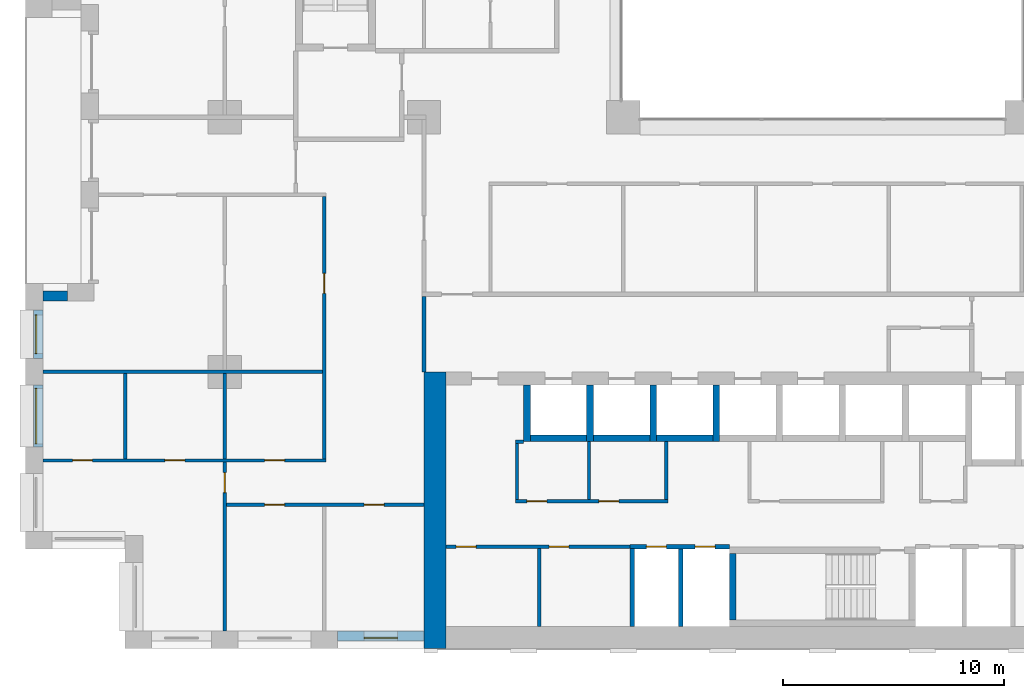
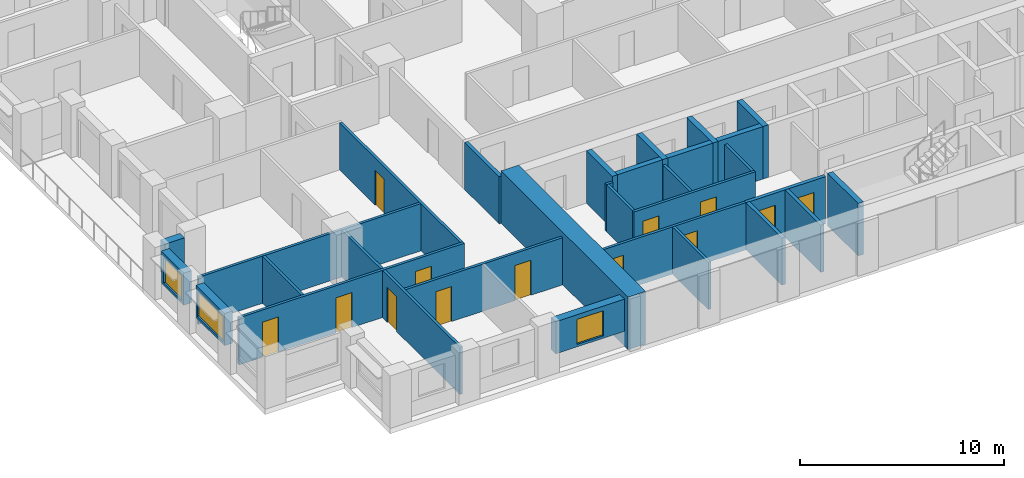
# One storey, part 9 of 19: 31 walls, 13 doors, 3 windows, 16 openings.
"""IFC4 building model written with IfcOpenShell, lengths in metres."""

from ifc_helpers import new_model, si_unit, direction, frame, frame_2d, origin, place, context, subcontext, project, spatial, rectangle, extrude, material, layer, layer_set, type_object, element, fill, save


model = new_model("IFC4")

# Units and contexts
model_context = context("Model", 3, precision=1e-05, world=origin(), true_north=direction((0.0, 1.0)))
body_context = subcontext(model_context, "Body", "Model", "MODEL_VIEW")
ifc_project = project(units=[si_unit("LENGTHUNIT", "METRE"), si_unit("AREAUNIT", "SQUARE_METRE"), si_unit("VOLUMEUNIT", "CUBIC_METRE"), si_unit("PLANEANGLEUNIT", "RADIAN"), si_unit("MASSUNIT", "GRAM", prefix="KILO")], contexts=[model_context])

# Site, building, storey
site_placement = place(None, origin())
site = spatial("IfcSite", under=ifc_project, at=site_placement, CompositionType="ELEMENT")
building_placement = place(site_placement, origin())
building = spatial("IfcBuilding", under=site, at=building_placement, Name="Brigalow Station Residences", CompositionType="ELEMENT")
storey_placement = place(building_placement, frame((0.0, 0.0, 25.800048828125)))
storey = spatial("IfcBuildingStorey", under=building, at=storey_placement, Name="L06", CompositionType="ELEMENT", Elevation=25.800048828125)

# Wall, opening, window
ifc_material_1 = material(Name="Clay brick masonry", Category="masonry")
ifc_layer_1 = layer(ifc_material_1, 0.449951171875)
ifc_layer_set_1 = layer_set([ifc_layer_1], Name="BRICK INFILL WALL 450")
wall_type_1 = type_object("IfcWallType", Name="BRICK INFILL WALL 450", PredefinedType="SOLIDWALL", material=ifc_layer_set_1)
wall_1_placement = place(storey_placement, frame((14.10009765625, 0.574951171875, 0.89990234375), z_axis=(0.0, 0.0, 1.0), x_axis=(1.0, 0.0, 0.0)))
wall_1 = element("IfcWall", 1, at=wall_1_placement, inside=storey, type_object=wall_type_1, Name="L06/ewall/W-L06-3", PredefinedType="SOLIDWALL", context=body_context, shape_type="SweptSolid", body=[
    extrude(rectangle(XDim=3.89990234375, YDim=0.449951171875, at=frame_2d((1.949951171875, 0.0))), origin(), (0.0, 0.0, 1.0), 1.929931640625),
])
opening_1_placement = place(wall_1_placement, frame((1.199951171875, 0.0, 0.14990234375)))
opening_1 = element("IfcOpeningElement", 2, at=opening_1_placement, cuts=wall_1, Name="Opening WT-1", PredefinedType="OPENING", context=body_context, shape_type="SweptSolid", body=[
    extrude(rectangle(XDim=1.5, YDim=1.5, at=frame_2d((0.75, 0.75))), frame((0.0, 0.23486328125, 0.0), z_axis=(0.0, -1.0, 0.0), x_axis=(1.0, 0.0, 0.0)), (0.0, 0.0, 1.0), 0.469970703125),
])
ifc_material_2 = material(Name="Anodised aluminium frame with double glazing", Category="aluminium")
window_type_1 = type_object("IfcWindowType", Name="WINDOW 1500x1500", PartitioningType="SINGLE_PANEL", PredefinedType="WINDOW", material=ifc_material_2)
window_1_placement = place(opening_1_placement, origin())
window_1 = element("IfcWindow", 3, at=window_1_placement, inside=storey, type_object=window_type_1, Name="L06/window/W-L06-3", OverallHeight=1.5, OverallWidth=1.5, PartitioningType="SINGLE_PANEL", PredefinedType="WINDOW", context=body_context, shape_type="SweptSolid", body=[
    extrude(rectangle(XDim=1.5, YDim=1.5, at=frame_2d((0.75, 0.75))), frame((0.0, -0.06494140625, 0.0), z_axis=(0.0, -1.0, 0.0), x_axis=(1.0, 0.0, 0.0)), (0.0, 0.0, 1.0), 0.06005859375),
])
fill(opening_1, window_1)

# Wall
wall_2_placement = place(storey_placement, frame((1.89990234375, 15.925048828125, 0.89990234375), z_axis=(0.0, 0.0, 1.0), x_axis=(-1.0, 0.0, 0.0)))
element("IfcWall", 4, at=wall_2_placement, inside=storey, type_object=wall_type_1, Name="L06/ewall/W-L06-50", PredefinedType="SOLIDWALL", context=body_context, shape_type="SweptSolid", body=[
    extrude(rectangle(XDim=1.099853515625, YDim=0.449951171875, at=frame_2d((0.5498046875, 0.0))), origin(), (0.0, 0.0, 1.0), 1.929931640625),
])

# Wall, opening, window
wall_3_placement = place(storey_placement, frame((0.574951171875, 15.300048828125, 0.89990234375), z_axis=(0.0, 0.0, 1.0), x_axis=(0.0, -1.0, 0.0)))
wall_3 = element("IfcWall", 5, at=wall_3_placement, inside=storey, type_object=wall_type_1, Name="L06/ewall/W-L06-51", PredefinedType="SOLIDWALL", context=body_context, shape_type="SweptSolid", body=[
    extrude(rectangle(XDim=2.199951171875, YDim=0.449951171875, at=frame_2d((1.10009765625, 0.0))), origin(), (0.0, 0.0, 1.0), 1.929931640625),
])
opening_2_placement = place(wall_3_placement, frame((0.22509765625, 0.0, 0.14990234375)))
opening_2 = element("IfcOpeningElement", 6, at=opening_2_placement, cuts=wall_3, Name="Opening WT-4", PredefinedType="OPENING", context=body_context, shape_type="SweptSolid", body=[
    extrude(rectangle(XDim=1.75, YDim=1.5, at=frame_2d((0.875, 0.75))), frame((0.0, 0.23486328125, 0.0), z_axis=(0.0, -1.0, 0.0), x_axis=(1.0, 0.0, 0.0)), (0.0, 0.0, 1.0), 0.469970703125),
])
ifc_material_3 = material(Name="Anodised aluminium frame with double glazing", Category="aluminium")
window_type_2 = type_object("IfcWindowType", Name="WINDOW 1750x1500", PartitioningType="SINGLE_PANEL", PredefinedType="WINDOW", material=ifc_material_3)
window_2_placement = place(opening_2_placement, origin())
window_2 = element("IfcWindow", 7, at=window_2_placement, inside=storey, type_object=window_type_2, Name="L06/window/W-L06-51", OverallHeight=1.5, OverallWidth=1.75, PartitioningType="SINGLE_PANEL", PredefinedType="WINDOW", context=body_context, shape_type="SweptSolid", body=[
    extrude(rectangle(XDim=1.75, YDim=1.5, at=frame_2d((0.875, 0.75))), frame((0.0, -0.06494140625, 0.0), z_axis=(0.0, -1.0, 0.0), x_axis=(1.0, 0.0, 0.0)), (0.0, 0.0, 1.0), 0.06005859375),
])
fill(opening_2, window_2)

wall_4_placement = place(storey_placement, frame((0.574951171875, 11.89990234375, 0.89990234375), z_axis=(0.0, 0.0, 1.0), x_axis=(0.0, -1.0, 0.0)))
wall_4 = element("IfcWall", 8, at=wall_4_placement, inside=storey, type_object=wall_type_1, Name="L06/ewall/W-L06-52", PredefinedType="SOLIDWALL", context=body_context, shape_type="SweptSolid", body=[
    extrude(rectangle(XDim=2.7998046875, YDim=0.449951171875, at=frame_2d((1.39990234375, 0.0))), origin(), (0.0, 0.0, 1.0), 1.929931640625),
])
opening_3_placement = place(wall_4_placement, frame((0.14990234375, 0.0, 0.14990234375)))
opening_3 = element("IfcOpeningElement", 9, at=opening_3_placement, cuts=wall_4, Name="Opening WT-5", PredefinedType="OPENING", context=body_context, shape_type="SweptSolid", body=[
    extrude(rectangle(XDim=2.5, YDim=1.5, at=frame_2d((1.25, 0.75))), frame((0.0, 0.23486328125, 0.0), z_axis=(0.0, -1.0, 0.0), x_axis=(1.0, 0.0, 0.0)), (0.0, 0.0, 1.0), 0.469970703125),
])
ifc_material_4 = material(Name="Anodised aluminium frame with double glazing", Category="aluminium")
window_type_3 = type_object("IfcWindowType", Name="WINDOW 2500x1500", PartitioningType="SINGLE_PANEL", PredefinedType="WINDOW", material=ifc_material_4)
window_3_placement = place(opening_3_placement, origin())
window_3 = element("IfcWindow", 10, at=window_3_placement, inside=storey, type_object=window_type_3, Name="L06/window/W-L06-52", OverallHeight=1.5, OverallWidth=2.5, PartitioningType="SINGLE_PANEL", PredefinedType="WINDOW", context=body_context, shape_type="SweptSolid", body=[
    extrude(rectangle(XDim=2.5, YDim=1.5, at=frame_2d((1.25, 0.75))), frame((0.0, -0.06494140625, 0.0), z_axis=(0.0, -1.0, 0.0), x_axis=(1.0, 0.0, 0.0)), (0.0, 0.0, 1.0), 0.06005859375),
])
fill(opening_3, window_3)

# Walls
ifc_material_5 = material(Name="Concrete C80", Category="concrete")
ifc_layer_2 = layer(ifc_material_5, 1.0)
ifc_layer_set_2 = layer_set([ifc_layer_2], Name="CORE SHEAR WALL 1000 C80")
wall_type_2 = type_object("IfcWallType", Name="CORE SHEAR WALL 1000 C80", PredefinedType="SHEAR", material=ifc_layer_set_2)
wall_5_placement = place(storey_placement, frame((18.5, 0.0, 0.0), z_axis=(0.0, 0.0, 1.0), x_axis=(0.0, 1.0, 0.0)))
element("IfcWall", 11, at=wall_5_placement, inside=storey, type_object=wall_type_2, Name="CORE WALL OUT-W L06", PredefinedType="SHEAR", context=body_context, shape_type="SweptSolid", body=[
    extrude(rectangle(XDim=12.5, YDim=1.0, at=frame_2d((6.25, 0.0))), origin(), (0.0, 0.0, 1.0), 3.14990234375),
])
ifc_material_6 = material(Name="Concrete C80", Category="concrete")
ifc_layer_3 = layer(ifc_material_6, 0.300048828125)
ifc_layer_set_3 = layer_set([ifc_layer_3], Name="CORE SHEAR WALL 300 C80")
wall_type_3 = type_object("IfcWallType", Name="CORE SHEAR WALL 300 C80", PredefinedType="SHEAR", material=ifc_layer_set_3)
wall_6_placement = place(storey_placement, frame((22.800048828125, 9.5, 0.0), z_axis=(0.0, 0.0, 1.0), x_axis=(1.0, 0.0, 0.0)))
element("IfcWall", 12, at=wall_6_placement, inside=storey, type_object=wall_type_3, Name="CORE WALL SH-P1-S L06", PredefinedType="SHEAR", context=body_context, shape_type="SweptSolid", body=[
    extrude(rectangle(XDim=2.550048828125, YDim=0.300048828125, at=frame_2d((1.27490234375, 0.0))), origin(), (0.0, 0.0, 1.0), 3.14990234375),
])
wall_7_placement = place(storey_placement, frame((22.64990234375, 9.35009765625, 0.0), z_axis=(0.0, 0.0, 1.0), x_axis=(0.0, 1.0, 0.0)))
element("IfcWall", 13, at=wall_7_placement, inside=storey, type_object=wall_type_3, Name="CORE WALL SH-P1-W L06", PredefinedType="SHEAR", context=body_context, shape_type="SweptSolid", body=[
    extrude(rectangle(XDim=2.5498046875, YDim=0.300048828125, at=frame_2d((1.27490234375, 0.0))), origin(), (0.0, 0.0, 1.0), 3.14990234375),
])
wall_8_placement = place(storey_placement, frame((25.64990234375, 9.5, 0.0), z_axis=(0.0, 0.0, 1.0), x_axis=(1.0, 0.0, 0.0)))
element("IfcWall", 14, at=wall_8_placement, inside=storey, type_object=wall_type_3, Name="CORE WALL SH-P2-S L06", PredefinedType="SHEAR", context=body_context, shape_type="SweptSolid", body=[
    extrude(rectangle(XDim=2.550048828125, YDim=0.300048828125, at=frame_2d((1.27490234375, 0.0))), origin(), (0.0, 0.0, 1.0), 3.14990234375),
])
wall_9_placement = place(storey_placement, frame((25.5, 9.35009765625, 0.0), z_axis=(0.0, 0.0, 1.0), x_axis=(0.0, 1.0, 0.0)))
element("IfcWall", 15, at=wall_9_placement, inside=storey, type_object=wall_type_3, Name="CORE WALL SH-P2-W L06", PredefinedType="SHEAR", context=body_context, shape_type="SweptSolid", body=[
    extrude(rectangle(XDim=2.5498046875, YDim=0.300048828125, at=frame_2d((1.27490234375, 0.0))), origin(), (0.0, 0.0, 1.0), 3.14990234375),
])
wall_10_placement = place(storey_placement, frame((28.5, 9.5, 0.0), z_axis=(0.0, 0.0, 1.0), x_axis=(1.0, 0.0, 0.0)))
element("IfcWall", 16, at=wall_10_placement, inside=storey, type_object=wall_type_3, Name="CORE WALL SH-P3-S L06", PredefinedType="SHEAR", context=body_context, shape_type="SweptSolid", body=[
    extrude(rectangle(XDim=2.550048828125, YDim=0.300048828125, at=frame_2d((1.27490234375, 0.0))), origin(), (0.0, 0.0, 1.0), 3.14990234375),
])
for number, where, z_axis, x_axis, name in (
    (17, (28.35009765625, 9.35009765625, 0.0), (0.0, 0.0, 1.0), (0.0, 1.0, 0.0), "CORE WALL SH-P3-W L06"),
    (18, (31.199951171875, 9.35009765625, 0.0), (0.0, 0.0, 1.0), (0.0, 1.0, 0.0), "CORE WALL SH-P4-W L06"),
):
    element("IfcWall", number, at=place(storey_placement, frame(where, z_axis=z_axis, x_axis=x_axis)), inside=storey, type_object=wall_type_3, Name=name, PredefinedType="SHEAR", context=body_context, shape_type="SweptSolid", body=[
        extrude(rectangle(XDim=2.5498046875, YDim=0.300048828125, at=frame_2d((1.27490234375, 0.0))), origin(), (0.0, 0.0, 1.0), 3.14990234375),
    ])
wall_11_placement = place(storey_placement, frame((31.949951171875, 1.300048828125, 0.0), z_axis=(0.0, 0.0, 1.0), x_axis=(0.0, 1.0, 0.0)))
element("IfcWall", 19, at=wall_11_placement, inside=storey, type_object=wall_type_3, Name="CORE WALL ST-S2-W L06", PredefinedType="SHEAR", context=body_context, shape_type="SweptSolid", body=[
    extrude(rectangle(XDim=3.0, YDim=0.300048828125, at=frame_2d((1.5, 0.0))), origin(), (0.0, 0.0, 1.0), 3.14990234375),
])

# Wall, openings, doors
ifc_material_7 = material(Name="Concrete blockwork", Category="masonry")
ifc_layer_4 = layer(ifc_material_7, 0.199951171875)
ifc_layer_set_4 = layer_set([ifc_layer_4], Name="FIRE RATED CORE PARTITION 200")
wall_type_4 = type_object("IfcWallType", Name="FIRE RATED CORE PARTITION 200", PredefinedType="PARTITIONING", material=ifc_layer_set_4)
wall_12_placement = place(storey_placement, frame((27.300048828125, 4.60009765625, 0.0), z_axis=(0.0, 0.0, 1.0), x_axis=(1.0, 0.0, 0.0)))
wall_12 = element("IfcWall", 20, at=wall_12_placement, inside=storey, type_object=wall_type_4, Name="PW-5017", PredefinedType="PARTITIONING", context=body_context, shape_type="SweptSolid", body=[
    extrude(rectangle(XDim=4.5, YDim=0.199951171875, at=frame_2d((2.25, 0.0))), origin(), (0.0, 0.0, 1.0), 2.829833984375),
])
opening_4_placement = place(wall_12_placement, frame((0.75, 0.0, 0.0)))
opening_4 = element("IfcOpeningElement", 21, at=opening_4_placement, cuts=wall_12, Name="Opening D-5007", PredefinedType="OPENING", context=body_context, shape_type="SweptSolid", body=[
    extrude(rectangle(XDim=0.89990234375, YDim=2.10009765625, at=frame_2d((0.449951171875, 1.050048828125))), frame((0.0, 0.10986328125, 0.0), z_axis=(0.0, -1.0, 0.0), x_axis=(1.0, 0.0, 0.0)), (0.0, 0.0, 1.0), 0.219970703125),
])
opening_5_placement = place(wall_12_placement, frame((2.949951171875, 0.0, 0.0)))
opening_5 = element("IfcOpeningElement", 22, at=opening_5_placement, cuts=wall_12, Name="Opening D-5008", PredefinedType="OPENING", context=body_context, shape_type="SweptSolid", body=[
    extrude(rectangle(XDim=0.89990234375, YDim=2.10009765625, at=frame_2d((0.449951171875, 1.050048828125))), frame((0.0, 0.10986328125, 0.0), z_axis=(0.0, -1.0, 0.0), x_axis=(1.0, 0.0, 0.0)), (0.0, 0.0, 1.0), 0.219970703125),
])
ifc_material_8 = material(Name="Steel fire door leaf in steel frame", Category="steel")
door_type_1 = type_object("IfcDoorType", Name="RISER ACCESS DOOR 900 x 2100 FD120", OperationType="SINGLE_SWING_LEFT", PredefinedType="DOOR", material=ifc_material_8)
door_1_placement = place(opening_4_placement, frame((0.89990234375, 0.0, 0.0), z_axis=(0.0, 0.0, 1.0), x_axis=(-1.0, 0.0, 0.0)))
door_1 = element("IfcDoor", 23, at=door_1_placement, inside=storey, type_object=door_type_1, Name="D-5007", OperationType="SINGLE_SWING_RIGHT", OverallHeight=2.10009765625, OverallWidth=0.89990234375, PredefinedType="DOOR", context=body_context, shape_type="SweptSolid", body=[
    extrude(rectangle(XDim=0.89990234375, YDim=2.10009765625, at=frame_2d((0.449951171875, 1.050048828125))), frame((0.0, 0.02490234375, 0.0), z_axis=(0.0, -1.0, 0.0), x_axis=(1.0, 0.0, 0.0)), (0.0, 0.0, 1.0), 0.050048828125),
])
fill(opening_4, door_1)
door_2_placement = place(opening_5_placement, frame((0.89990234375, 0.0, 0.0), z_axis=(0.0, 0.0, 1.0), x_axis=(-1.0, 0.0, 0.0)))
door_2 = element("IfcDoor", 24, at=door_2_placement, inside=storey, type_object=door_type_1, Name="D-5008", OperationType="SINGLE_SWING_RIGHT", OverallHeight=2.10009765625, OverallWidth=0.89990234375, PredefinedType="DOOR", context=body_context, shape_type="SweptSolid", body=[
    extrude(rectangle(XDim=0.89990234375, YDim=2.10009765625, at=frame_2d((0.449951171875, 1.050048828125))), frame((0.0, 0.02490234375, 0.0), z_axis=(0.0, -1.0, 0.0), x_axis=(1.0, 0.0, 0.0)), (0.0, 0.0, 1.0), 0.050048828125),
])
fill(opening_5, door_2)

# Walls
wall_13_placement = place(storey_placement, frame((27.39990234375, 1.0, 0.0), z_axis=(0.0, 0.0, 1.0), x_axis=(0.0, 1.0, 0.0)))
element("IfcWall", 25, at=wall_13_placement, inside=storey, type_object=wall_type_4, Name="PW-5027", PredefinedType="PARTITIONING", context=body_context, shape_type="SweptSolid", body=[
    extrude(rectangle(XDim=3.52490234375, YDim=0.199951171875, at=frame_2d((1.762451171875, 0.0))), origin(), (0.0, 0.0, 1.0), 2.829833984375),
])
wall_14_placement = place(storey_placement, frame((29.60009765625, 1.0, 0.0), z_axis=(0.0, 0.0, 1.0), x_axis=(0.0, 1.0, 0.0)))
element("IfcWall", 26, at=wall_14_placement, inside=storey, type_object=wall_type_4, Name="PW-5006", PredefinedType="PARTITIONING", context=body_context, shape_type="SweptSolid", body=[
    extrude(rectangle(XDim=3.5, YDim=0.199951171875, at=frame_2d((1.75, 0.0))), origin(), (0.0, 0.0, 1.0), 2.829833984375),
])
wall_15_placement = place(storey_placement, frame((18.0, 12.5, 0.0), z_axis=(0.0, 0.0, 1.0), x_axis=(0.0, 1.0, 0.0)))
element("IfcWall", 27, at=wall_15_placement, inside=storey, type_object=wall_type_4, Name="PW-5013", PredefinedType="PARTITIONING", context=body_context, shape_type="SweptSolid", body=[
    extrude(rectangle(XDim=3.39990234375, YDim=0.199951171875, at=frame_2d((1.699951171875, 0.0))), origin(), (0.0, 0.0, 1.0), 2.829833984375),
])

# Wall, openings, doors
ifc_material_9 = material(Name="Plasterboard on steel stud partition", Category="steel")
ifc_layer_5 = layer(ifc_material_9, 0.14990234375)
ifc_layer_set_5 = layer_set([ifc_layer_5], Name="FLAT PARTITION 150")
wall_type_5 = type_object("IfcWallType", Name="FLAT PARTITION 150", PredefinedType="PARTITIONING", material=ifc_layer_set_5)
wall_16_placement = place(storey_placement, frame((0.800048828125, 8.5, 0.0), z_axis=(0.0, 0.0, 1.0), x_axis=(1.0, 0.0, 0.0)))
wall_16 = element("IfcWall", 28, at=wall_16_placement, inside=storey, type_object=wall_type_5, Name="PW-1A09", PredefinedType="PARTITIONING", context=body_context, shape_type="SweptSolid", body=[
    extrude(rectangle(XDim=12.77490234375, YDim=0.14990234375, at=frame_2d((6.387451171875, 0.0))), origin(), (0.0, 0.0, 1.0), 2.829833984375),
])
opening_6_placement = place(wall_16_placement, frame((10.0, 0.0, 0.0)))
opening_6 = element("IfcOpeningElement", 29, at=opening_6_placement, cuts=wall_16, Name="Opening D-1A05", PredefinedType="OPENING", context=body_context, shape_type="SweptSolid", body=[
    extrude(rectangle(XDim=0.89990234375, YDim=2.10009765625, at=frame_2d((0.449951171875, 1.050048828125))), frame((0.0, 0.0849609375, 0.0), z_axis=(0.0, -1.0, 0.0), x_axis=(1.0, 0.0, 0.0)), (0.0, 0.0, 1.0), 0.169921875),
])
opening_7_placement = place(wall_16_placement, frame((1.324951171875, 0.0, 0.0)))
opening_7 = element("IfcOpeningElement", 30, at=opening_7_placement, cuts=wall_16, Name="Opening D-1A07", PredefinedType="OPENING", context=body_context, shape_type="SweptSolid", body=[
    extrude(rectangle(XDim=0.89990234375, YDim=2.10009765625, at=frame_2d((0.449951171875, 1.050048828125))), frame((0.0, 0.0849609375, 0.0), z_axis=(0.0, -1.0, 0.0), x_axis=(1.0, 0.0, 0.0)), (0.0, 0.0, 1.0), 0.169921875),
])
opening_8_placement = place(wall_16_placement, frame((5.5, 0.0, 0.0)))
opening_8 = element("IfcOpeningElement", 31, at=opening_8_placement, cuts=wall_16, Name="Opening D-1A08", PredefinedType="OPENING", context=body_context, shape_type="SweptSolid", body=[
    extrude(rectangle(XDim=0.89990234375, YDim=2.10009765625, at=frame_2d((0.449951171875, 1.050048828125))), frame((0.0, 0.0849609375, 0.0), z_axis=(0.0, -1.0, 0.0), x_axis=(1.0, 0.0, 0.0)), (0.0, 0.0, 1.0), 0.169921875),
])
ifc_material_10 = material(Name="Solid-core timber door leaf", Category="wood")
door_type_2 = type_object("IfcDoorType", Name="INTERNAL DOOR 900 x 2100", OperationType="SINGLE_SWING_LEFT", PredefinedType="DOOR", material=ifc_material_10)
door_3_placement = place(opening_6_placement, origin())
door_3 = element("IfcDoor", 32, at=door_3_placement, inside=storey, type_object=door_type_2, Name="D-1A05", OperationType="SINGLE_SWING_LEFT", OverallHeight=2.10009765625, OverallWidth=0.89990234375, PredefinedType="DOOR", context=body_context, shape_type="SweptSolid", body=[
    extrude(rectangle(XDim=0.89990234375, YDim=2.10009765625, at=frame_2d((0.449951171875, 1.050048828125))), frame((0.0, 0.02490234375, 0.0), z_axis=(0.0, -1.0, 0.0), x_axis=(1.0, 0.0, 0.0)), (0.0, 0.0, 1.0), 0.050048828125),
])
fill(opening_6, door_3)
door_4_placement = place(opening_7_placement, origin())
door_4 = element("IfcDoor", 33, at=door_4_placement, inside=storey, type_object=door_type_2, Name="D-1A07", OperationType="SINGLE_SWING_LEFT", OverallHeight=2.10009765625, OverallWidth=0.89990234375, PredefinedType="DOOR", context=body_context, shape_type="SweptSolid", body=[
    extrude(rectangle(XDim=0.89990234375, YDim=2.10009765625, at=frame_2d((0.449951171875, 1.050048828125))), frame((0.0, 0.02490234375, 0.0), z_axis=(0.0, -1.0, 0.0), x_axis=(1.0, 0.0, 0.0)), (0.0, 0.0, 1.0), 0.050048828125),
])
fill(opening_7, door_4)
door_5_placement = place(opening_8_placement, origin())
door_5 = element("IfcDoor", 34, at=door_5_placement, inside=storey, type_object=door_type_2, Name="D-1A08", OperationType="SINGLE_SWING_RIGHT", OverallHeight=2.10009765625, OverallWidth=0.89990234375, PredefinedType="DOOR", context=body_context, shape_type="SweptSolid", body=[
    extrude(rectangle(XDim=0.89990234375, YDim=2.10009765625, at=frame_2d((0.449951171875, 1.050048828125))), frame((0.0, 0.02490234375, 0.0), z_axis=(0.0, -1.0, 0.0), x_axis=(1.0, 0.0, 0.0)), (0.0, 0.0, 1.0), 0.050048828125),
])
fill(opening_8, door_5)

# Wall
wall_17_placement = place(storey_placement, frame((0.800048828125, 12.5, 0.0), z_axis=(0.0, 0.0, 1.0), x_axis=(1.0, 0.0, 0.0)))
element("IfcWall", 35, at=wall_17_placement, inside=storey, type_object=wall_type_5, Name="PW-1A11", PredefinedType="PARTITIONING", context=body_context, shape_type="SweptSolid", body=[
    extrude(rectangle(XDim=12.625, YDim=0.14990234375, at=frame_2d((6.3125, 0.0))), origin(), (0.0, 0.0, 1.0), 2.829833984375),
])

# Wall, openings, doors
wall_18_placement = place(storey_placement, frame((9.074951171875, 6.5, 0.0), z_axis=(0.0, 0.0, 1.0), x_axis=(1.0, 0.0, 0.0)))
wall_18 = element("IfcWall", 36, at=wall_18_placement, inside=storey, type_object=wall_type_5, Name="PW-1A13", PredefinedType="PARTITIONING", context=body_context, shape_type="SweptSolid", body=[
    extrude(rectangle(XDim=8.925048828125, YDim=0.14990234375, at=frame_2d((4.46240234375, 0.0))), origin(), (0.0, 0.0, 1.0), 2.829833984375),
])
opening_9_placement = place(wall_18_placement, frame((1.72509765625, 0.0, 0.0)))
opening_9 = element("IfcOpeningElement", 37, at=opening_9_placement, cuts=wall_18, Name="Opening D-1A03", PredefinedType="OPENING", context=body_context, shape_type="SweptSolid", body=[
    extrude(rectangle(XDim=0.89990234375, YDim=2.10009765625, at=frame_2d((0.449951171875, 1.050048828125))), frame((0.0, 0.0849609375, 0.0), z_axis=(0.0, -1.0, 0.0), x_axis=(1.0, 0.0, 0.0)), (0.0, 0.0, 1.0), 0.169921875),
])
opening_10_placement = place(wall_18_placement, frame((6.22509765625, 0.0, 0.0)))
opening_10 = element("IfcOpeningElement", 38, at=opening_10_placement, cuts=wall_18, Name="Opening D-1A04", PredefinedType="OPENING", context=body_context, shape_type="SweptSolid", body=[
    extrude(rectangle(XDim=0.89990234375, YDim=2.10009765625, at=frame_2d((0.449951171875, 1.050048828125))), frame((0.0, 0.0849609375, 0.0), z_axis=(0.0, -1.0, 0.0), x_axis=(1.0, 0.0, 0.0)), (0.0, 0.0, 1.0), 0.169921875),
])
door_6_placement = place(opening_9_placement, frame((0.89990234375, 0.0, 0.0), z_axis=(0.0, 0.0, 1.0), x_axis=(-1.0, 0.0, 0.0)))
door_6 = element("IfcDoor", 39, at=door_6_placement, inside=storey, type_object=door_type_2, Name="D-1A03", OperationType="SINGLE_SWING_LEFT", OverallHeight=2.10009765625, OverallWidth=0.89990234375, PredefinedType="DOOR", context=body_context, shape_type="SweptSolid", body=[
    extrude(rectangle(XDim=0.89990234375, YDim=2.10009765625, at=frame_2d((0.449951171875, 1.050048828125))), frame((0.0, 0.02490234375, 0.0), z_axis=(0.0, -1.0, 0.0), x_axis=(1.0, 0.0, 0.0)), (0.0, 0.0, 1.0), 0.050048828125),
])
fill(opening_9, door_6)
door_7_placement = place(opening_10_placement, frame((0.89990234375, 0.0, 0.0), z_axis=(0.0, 0.0, 1.0), x_axis=(-1.0, 0.0, 0.0)))
door_7 = element("IfcDoor", 40, at=door_7_placement, inside=storey, type_object=door_type_2, Name="D-1A04", OperationType="SINGLE_SWING_RIGHT", OverallHeight=2.10009765625, OverallWidth=0.89990234375, PredefinedType="DOOR", context=body_context, shape_type="SweptSolid", body=[
    extrude(rectangle(XDim=0.89990234375, YDim=2.10009765625, at=frame_2d((0.449951171875, 1.050048828125))), frame((0.0, 0.02490234375, 0.0), z_axis=(0.0, -1.0, 0.0), x_axis=(1.0, 0.0, 0.0)), (0.0, 0.0, 1.0), 0.050048828125),
])
fill(opening_10, door_7)

# Wall, opening, door
wall_19_placement = place(storey_placement, frame((9.0, 0.800048828125, 0.0), z_axis=(0.0, 0.0, 1.0), x_axis=(0.0, 1.0, 0.0)))
wall_19 = element("IfcWall", 41, at=wall_19_placement, inside=storey, type_object=wall_type_5, Name="PW-1A46", PredefinedType="PARTITIONING", context=body_context, shape_type="SweptSolid", body=[
    extrude(rectangle(XDim=7.625, YDim=0.14990234375, at=frame_2d((3.8125, 0.0))), origin(), (0.0, 0.0, 1.0), 2.829833984375),
])
opening_11_placement = place(wall_19_placement, frame((6.25, 0.0, 0.0)))
opening_11 = element("IfcOpeningElement", 42, at=opening_11_placement, cuts=wall_19, Name="Opening D-1A06", PredefinedType="OPENING", context=body_context, shape_type="SweptSolid", body=[
    extrude(rectangle(XDim=0.89990234375, YDim=2.10009765625, at=frame_2d((0.449951171875, 1.050048828125))), frame((0.0, 0.0849609375, 0.0), z_axis=(0.0, -1.0, 0.0), x_axis=(1.0, 0.0, 0.0)), (0.0, 0.0, 1.0), 0.169921875),
])
door_8_placement = place(opening_11_placement, origin())
door_8 = element("IfcDoor", 43, at=door_8_placement, inside=storey, type_object=door_type_2, Name="D-1A06", OperationType="SINGLE_SWING_RIGHT", OverallHeight=2.10009765625, OverallWidth=0.89990234375, PredefinedType="DOOR", context=body_context, shape_type="SweptSolid", body=[
    extrude(rectangle(XDim=0.89990234375, YDim=2.10009765625, at=frame_2d((0.449951171875, 1.050048828125))), frame((0.0, 0.02490234375, 0.0), z_axis=(0.0, -1.0, 0.0), x_axis=(1.0, 0.0, 0.0)), (0.0, 0.0, 1.0), 0.050048828125),
])
fill(opening_11, door_8)

# Walls
for number, where, z_axis, x_axis, name in (
    (44, (9.0, 8.574951171875, 0.0), (0.0, 0.0, 1.0), (0.0, 1.0, 0.0), "PW-1A47"),
    (45, (4.5, 8.574951171875, 0.0), (0.0, 0.0, 1.0), (0.0, 1.0, 0.0), "PW-1A51"),
):
    element("IfcWall", number, at=place(storey_placement, frame(where, z_axis=z_axis, x_axis=x_axis)), inside=storey, type_object=wall_type_5, Name=name, PredefinedType="PARTITIONING", context=body_context, shape_type="SweptSolid", body=[
        extrude(rectangle(XDim=3.85009765625, YDim=0.14990234375, at=frame_2d((1.925048828125, 0.0))), origin(), (0.0, 0.0, 1.0), 2.829833984375),
    ])

# Wall, opening, door
wall_20_placement = place(storey_placement, frame((13.5, 8.574951171875, 0.0), z_axis=(0.0, 0.0, 1.0), x_axis=(0.0, 1.0, 0.0)))
wall_20 = element("IfcWall", 46, at=wall_20_placement, inside=storey, type_object=wall_type_5, Name="PW-1A54", PredefinedType="PARTITIONING", context=body_context, shape_type="SweptSolid", body=[
    extrude(rectangle(XDim=11.85009765625, YDim=0.14990234375, at=frame_2d((5.925048828125, 0.0))), origin(), (0.0, 0.0, 1.0), 2.829833984375),
])
opening_12_placement = place(wall_20_placement, frame((7.47509765625, 0.0, 0.0)))
opening_12 = element("IfcOpeningElement", 47, at=opening_12_placement, cuts=wall_20, Name="Opening D-1A09", PredefinedType="OPENING", context=body_context, shape_type="SweptSolid", body=[
    extrude(rectangle(XDim=0.89990234375, YDim=2.10009765625, at=frame_2d((0.449951171875, 1.050048828125))), frame((0.0, 0.0849609375, 0.0), z_axis=(0.0, -1.0, 0.0), x_axis=(1.0, 0.0, 0.0)), (0.0, 0.0, 1.0), 0.169921875),
])
door_9_placement = place(opening_12_placement, origin())
door_9 = element("IfcDoor", 48, at=door_9_placement, inside=storey, type_object=door_type_2, Name="D-1A09", OperationType="SINGLE_SWING_RIGHT", OverallHeight=2.10009765625, OverallWidth=0.89990234375, PredefinedType="DOOR", context=body_context, shape_type="SweptSolid", body=[
    extrude(rectangle(XDim=0.89990234375, YDim=2.10009765625, at=frame_2d((0.449951171875, 1.050048828125))), frame((0.0, 0.02490234375, 0.0), z_axis=(0.0, -1.0, 0.0), x_axis=(1.0, 0.0, 0.0)), (0.0, 0.0, 1.0), 0.050048828125),
])
fill(opening_12, door_9)

# Wall, openings, doors
ifc_material_11 = material(Name="Plasterboard on steel studs", Category="steel")
ifc_layer_6 = layer(ifc_material_11, 0.14990234375)
ifc_layer_set_6 = layer_set([ifc_layer_6], Name="SERVICE ROOM PARTITION 150")
wall_type_6 = type_object("IfcWallType", Name="SERVICE ROOM PARTITION 150", PredefinedType="PARTITIONING", material=ifc_layer_set_6)
wall_21_placement = place(storey_placement, frame((19.0, 4.60009765625, 0.0), z_axis=(0.0, 0.0, 1.0), x_axis=(1.0, 0.0, 0.0)))
wall_21 = element("IfcWall", 49, at=wall_21_placement, inside=storey, type_object=wall_type_6, Name="PW-5019", PredefinedType="PARTITIONING", context=body_context, shape_type="SweptSolid", body=[
    extrude(rectangle(XDim=8.300048828125, YDim=0.14990234375, at=frame_2d((4.14990234375, 0.0))), origin(), (0.0, 0.0, 1.0), 2.829833984375),
])
opening_13_placement = place(wall_21_placement, frame((0.449951171875, 0.0, 0.0)))
opening_13 = element("IfcOpeningElement", 50, at=opening_13_placement, cuts=wall_21, Name="Opening D-5025", PredefinedType="OPENING", context=body_context, shape_type="SweptSolid", body=[
    extrude(rectangle(XDim=0.89990234375, YDim=2.10009765625, at=frame_2d((0.449951171875, 1.050048828125))), frame((0.0, 0.0849609375, 0.0), z_axis=(0.0, -1.0, 0.0), x_axis=(1.0, 0.0, 0.0)), (0.0, 0.0, 1.0), 0.169921875),
])
opening_14_placement = place(wall_21_placement, frame((4.64990234375, 0.0, 0.0)))
opening_14 = element("IfcOpeningElement", 51, at=opening_14_placement, cuts=wall_21, Name="Opening D-5074", PredefinedType="OPENING", context=body_context, shape_type="SweptSolid", body=[
    extrude(rectangle(XDim=0.89990234375, YDim=2.10009765625, at=frame_2d((0.449951171875, 1.050048828125))), frame((0.0, 0.0849609375, 0.0), z_axis=(0.0, -1.0, 0.0), x_axis=(1.0, 0.0, 0.0)), (0.0, 0.0, 1.0), 0.169921875),
])
ifc_material_12 = material(Name="Steel door leaf in steel frame", Category="steel")
door_type_3 = type_object("IfcDoorType", Name="SERVICE ROOM DOOR 900 x 2100 FD60", OperationType="SINGLE_SWING_LEFT", PredefinedType="DOOR", material=ifc_material_12)
door_10_placement = place(opening_13_placement, frame((0.89990234375, 0.0, 0.0), z_axis=(0.0, 0.0, 1.0), x_axis=(-1.0, 0.0, 0.0)))
door_10 = element("IfcDoor", 52, at=door_10_placement, inside=storey, type_object=door_type_3, Name="D-5025", OperationType="SINGLE_SWING_RIGHT", OverallHeight=2.10009765625, OverallWidth=0.89990234375, PredefinedType="DOOR", context=body_context, shape_type="SweptSolid", body=[
    extrude(rectangle(XDim=0.89990234375, YDim=2.10009765625, at=frame_2d((0.449951171875, 1.050048828125))), frame((0.0, 0.02490234375, 0.0), z_axis=(0.0, -1.0, 0.0), x_axis=(1.0, 0.0, 0.0)), (0.0, 0.0, 1.0), 0.050048828125),
])
fill(opening_13, door_10)
door_11_placement = place(opening_14_placement, frame((0.89990234375, 0.0, 0.0), z_axis=(0.0, 0.0, 1.0), x_axis=(-1.0, 0.0, 0.0)))
door_11 = element("IfcDoor", 53, at=door_11_placement, inside=storey, type_object=door_type_3, Name="D-5074", OperationType="SINGLE_SWING_RIGHT", OverallHeight=2.10009765625, OverallWidth=0.89990234375, PredefinedType="DOOR", context=body_context, shape_type="SweptSolid", body=[
    extrude(rectangle(XDim=0.89990234375, YDim=2.10009765625, at=frame_2d((0.449951171875, 1.050048828125))), frame((0.0, 0.02490234375, 0.0), z_axis=(0.0, -1.0, 0.0), x_axis=(1.0, 0.0, 0.0)), (0.0, 0.0, 1.0), 0.050048828125),
])
fill(opening_14, door_11)

wall_22_placement = place(storey_placement, frame((22.125, 6.64990234375, 0.0), z_axis=(0.0, 0.0, 1.0), x_axis=(1.0, 0.0, 0.0)))
wall_22 = element("IfcWall", 54, at=wall_22_placement, inside=storey, type_object=wall_type_6, Name="PW-5126", PredefinedType="PARTITIONING", context=body_context, shape_type="SweptSolid", body=[
    extrude(rectangle(XDim=6.89990234375, YDim=0.14990234375, at=frame_2d((3.449951171875, 0.0))), origin(), (0.0, 0.0, 1.0), 2.829833984375),
])
opening_15_placement = place(wall_22_placement, frame((0.52490234375, 0.0, 0.0)))
opening_15 = element("IfcOpeningElement", 55, at=opening_15_placement, cuts=wall_22, Name="Opening D-5021", PredefinedType="OPENING", context=body_context, shape_type="SweptSolid", body=[
    extrude(rectangle(XDim=0.89990234375, YDim=2.10009765625, at=frame_2d((0.449951171875, 1.050048828125))), frame((0.0, 0.0849609375, 0.0), z_axis=(0.0, -1.0, 0.0), x_axis=(1.0, 0.0, 0.0)), (0.0, 0.0, 1.0), 0.169921875),
])
opening_16_placement = place(wall_22_placement, frame((3.77490234375, 0.0, 0.0)))
opening_16 = element("IfcOpeningElement", 56, at=opening_16_placement, cuts=wall_22, Name="Opening D-5072", PredefinedType="OPENING", context=body_context, shape_type="SweptSolid", body=[
    extrude(rectangle(XDim=0.89990234375, YDim=2.10009765625, at=frame_2d((0.449951171875, 1.050048828125))), frame((0.0, 0.0849609375, 0.0), z_axis=(0.0, -1.0, 0.0), x_axis=(1.0, 0.0, 0.0)), (0.0, 0.0, 1.0), 0.169921875),
])
door_12_placement = place(opening_15_placement, origin())
door_12 = element("IfcDoor", 57, at=door_12_placement, inside=storey, type_object=door_type_3, Name="D-5021", OperationType="SINGLE_SWING_LEFT", OverallHeight=2.10009765625, OverallWidth=0.89990234375, PredefinedType="DOOR", context=body_context, shape_type="SweptSolid", body=[
    extrude(rectangle(XDim=0.89990234375, YDim=2.10009765625, at=frame_2d((0.449951171875, 1.050048828125))), frame((0.0, 0.02490234375, 0.0), z_axis=(0.0, -1.0, 0.0), x_axis=(1.0, 0.0, 0.0)), (0.0, 0.0, 1.0), 0.050048828125),
])
fill(opening_15, door_12)
door_13_placement = place(opening_16_placement, origin())
door_13 = element("IfcDoor", 58, at=door_13_placement, inside=storey, type_object=door_type_3, Name="D-5072", OperationType="SINGLE_SWING_LEFT", OverallHeight=2.10009765625, OverallWidth=0.89990234375, PredefinedType="DOOR", context=body_context, shape_type="SweptSolid", body=[
    extrude(rectangle(XDim=0.89990234375, YDim=2.10009765625, at=frame_2d((0.449951171875, 1.050048828125))), frame((0.0, 0.02490234375, 0.0), z_axis=(0.0, -1.0, 0.0), x_axis=(1.0, 0.0, 0.0)), (0.0, 0.0, 1.0), 0.050048828125),
])
fill(opening_16, door_13)

# Walls
wall_23_placement = place(storey_placement, frame((22.125, 9.35009765625, 0.0), z_axis=(0.0, 0.0, 1.0), x_axis=(1.0, 0.0, 0.0)))
element("IfcWall", 59, at=wall_23_placement, inside=storey, type_object=wall_type_6, Name="PW-5022", PredefinedType="PARTITIONING", context=body_context, shape_type="SweptSolid", body=[
    extrude(rectangle(XDim=0.375, YDim=0.14990234375, at=frame_2d((0.1875, 0.0))), origin(), (0.0, 0.0, 1.0), 2.829833984375),
])
wall_24_placement = place(storey_placement, frame((23.199951171875, 1.0, 0.0), z_axis=(0.0, 0.0, 1.0), x_axis=(0.0, 1.0, 0.0)))
element("IfcWall", 60, at=wall_24_placement, inside=storey, type_object=wall_type_6, Name="PW-5130", PredefinedType="PARTITIONING", context=body_context, shape_type="SweptSolid", body=[
    extrude(rectangle(XDim=3.52490234375, YDim=0.14990234375, at=frame_2d((1.762451171875, 0.0))), origin(), (0.0, 0.0, 1.0), 2.829833984375),
])
wall_25_placement = place(storey_placement, frame((22.199951171875, 6.72509765625, 0.0), z_axis=(0.0, 0.0, 1.0), x_axis=(0.0, 1.0, 0.0)))
element("IfcWall", 61, at=wall_25_placement, inside=storey, type_object=wall_type_6, Name="PW-5030", PredefinedType="PARTITIONING", context=body_context, shape_type="SweptSolid", body=[
    extrude(rectangle(XDim=2.5498046875, YDim=0.14990234375, at=frame_2d((1.27490234375, 0.0))), origin(), (0.0, 0.0, 1.0), 2.829833984375),
])
for number, where, z_axis, x_axis, name in (
    (62, (25.449951171875, 6.72509765625, 0.0), (0.0, 0.0, 1.0), (0.0, 1.0, 0.0), "PW-5133"),
    (63, (28.949951171875, 6.72509765625, 0.0), (0.0, 0.0, 1.0), (0.0, 1.0, 0.0), "PW-5134"),
):
    element("IfcWall", number, at=place(storey_placement, frame(where, z_axis=z_axis, x_axis=x_axis)), inside=storey, type_object=wall_type_6, Name=name, PredefinedType="PARTITIONING", context=body_context, shape_type="SweptSolid", body=[
        extrude(rectangle(XDim=2.625, YDim=0.14990234375, at=frame_2d((1.3125, 0.0))), origin(), (0.0, 0.0, 1.0), 2.829833984375),
    ])

save(model, "model.ifc")
